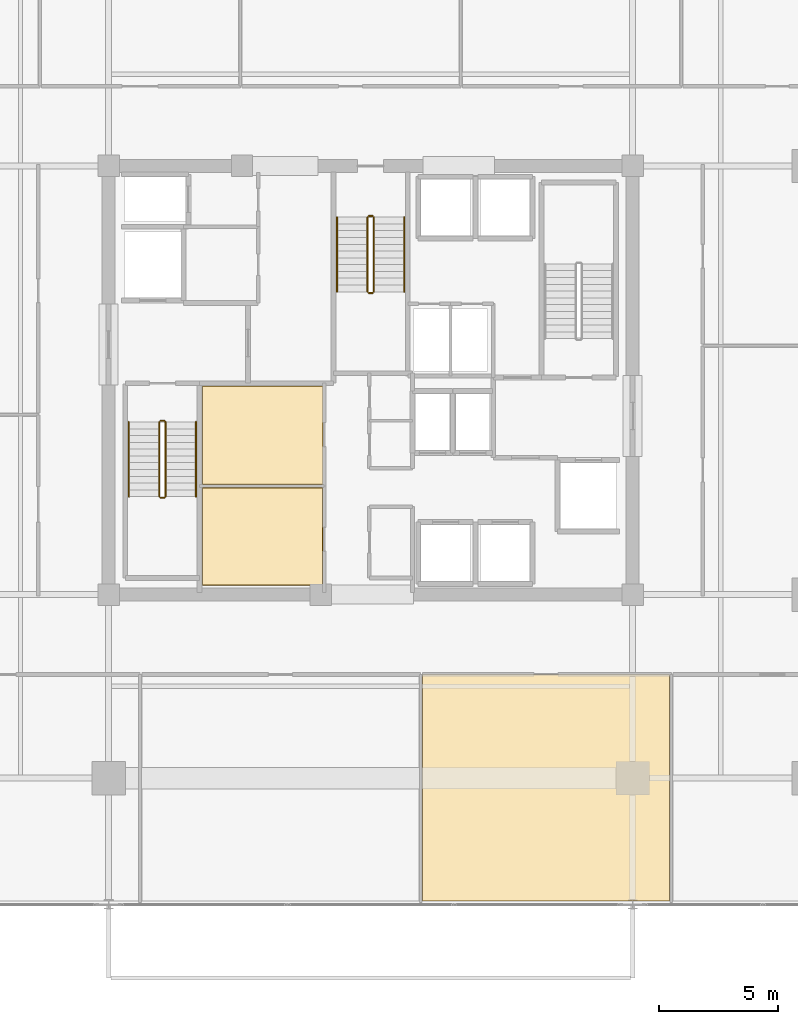
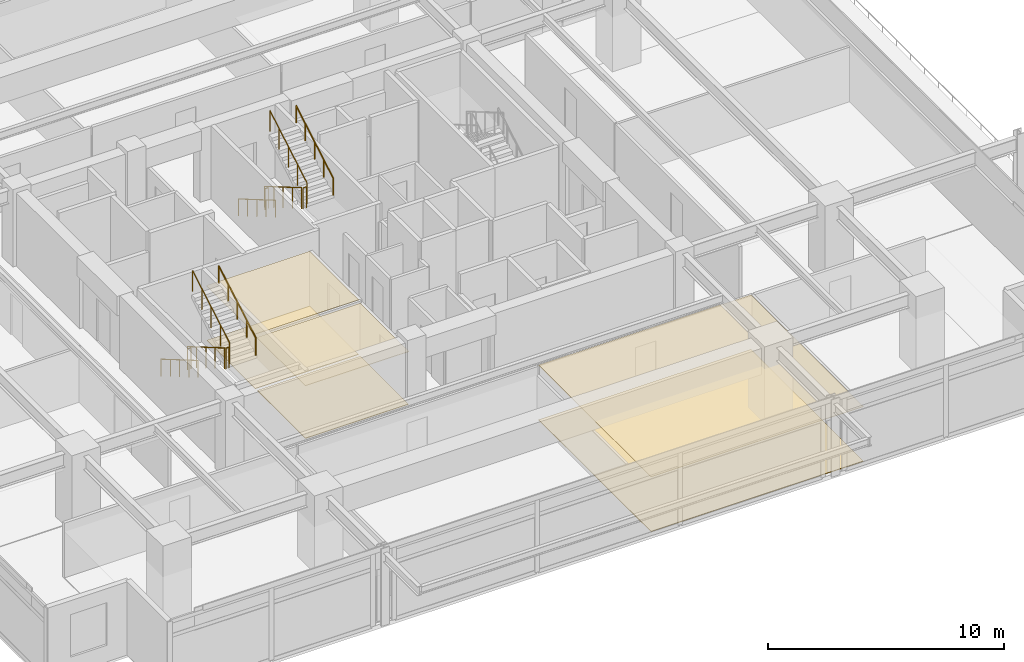
# One storey, part 19 of 21: 12 railings, 6 coverings.
"""IFC4 building model written with IfcOpenShell, lengths in metres."""

import ifcopenshell
import ifcopenshell.guid

model = None  # the IFC model being written
_history = None  # IfcOwnerHistory: only IFC2X3 demands one
_inside = {}  # id of a spatial element -> (the spatial element, [elements in it])
_under = {}  # id of a project, library or spatial element -> (it, [spatial elements below it])
_declared = {}  # id of a project -> (the project, [libraries it declares])
_typed = {}  # id of a type object -> (the type object, [elements of that type])
_made_of = {}  # id of a material, layer set ... -> (it, [elements and type objects made of it])


def new_model(schema):
    """Start an empty IFC model of exactly this schema.

    Asked for "IFC4X3", IfcOpenShell would pick the latest addendum, in which some entities
    have other attributes; the version numbers below select the first issue.
    IFC2X3 requires an IfcOwnerHistory on every rooted entity: one is made here for all.
    """
    global model, _history
    if schema == "IFC4X3":
        model = ifcopenshell.file(schema_version=(4, 3, 0, 0))
    else:
        model = ifcopenshell.file(schema=schema)
    _inside.clear()
    _under.clear()
    _declared.clear()
    _typed.clear()
    _made_of.clear()
    _history = None
    if model.schema == "IFC2X3":
        org = make("IfcOrganization", Name="unknown")
        user = make(
            "IfcPersonAndOrganization",
            ThePerson=make("IfcPerson", FamilyName="unknown"),
            TheOrganization=org,
        )
        app = make(
            "IfcApplication",
            ApplicationDeveloper=org,
            Version="unknown",
            ApplicationFullName="unknown",
            ApplicationIdentifier="unknown",
        )
        _history = make(
            "IfcOwnerHistory",
            OwningUser=user,
            OwningApplication=app,
            ChangeAction="ADDED",
            CreationDate=0,
        )
    return model


def make(cls, **values):
    """One entity of the class cls with the attributes given. An attribute that is None is left unset."""
    return model.create_entity(
        cls, **{name: value for name, value in values.items() if value is not None}
    )


def rooted(cls, **values):
    """An entity with a GlobalId (a new one), such as an element, a storey or a relation."""
    return make(cls, GlobalId=ifcopenshell.guid.new(), OwnerHistory=_history, **values)


def si_unit(unit_type, name, prefix=None):
    """IfcSIUnit, for example si_unit("LENGTHUNIT", "METRE", prefix="MILLI")."""
    return make("IfcSIUnit", UnitType=unit_type, Prefix=prefix, Name=name)


def assignment(units):
    """IfcUnitAssignment: the units of a project."""
    return None if units is None else make("IfcUnitAssignment", Units=units)


def point(xyz):
    """IfcCartesianPoint."""
    return None if xyz is None else make("IfcCartesianPoint", Coordinates=xyz)


def direction(xyz):
    """IfcDirection."""
    return None if xyz is None else make("IfcDirection", DirectionRatios=xyz)


def frame(location, z_axis=None, x_axis=None):
    """IfcAxis2Placement3D, a coordinate frame: its origin and axes. An axis left out is left unset."""
    return make(
        "IfcAxis2Placement3D",
        Location=point(location),
        Axis=direction(z_axis),
        RefDirection=direction(x_axis),
    )


def frame_2d(location, x_axis=None):
    """IfcAxis2Placement2D, a coordinate frame in the plane: its origin and x axis."""
    return make(
        "IfcAxis2Placement2D", Location=point(location), RefDirection=direction(x_axis)
    )


def origin():
    """The frame at (0, 0, 0) with its axes left unset."""
    return frame((0.0, 0.0, 0.0))


def origin_2d():
    """The frame at (0, 0) in the plane with its x axis left unset."""
    return frame_2d((0.0, 0.0))


def place(relative_to, where):
    """IfcLocalPlacement: puts the frame where relative to a parent placement (None: the world)."""
    return make(
        "IfcLocalPlacement", PlacementRelTo=relative_to, RelativePlacement=where
    )


def context(
    kind, dimensions, precision=None, world=None, true_north=None, identifier=None
):
    """IfcGeometricRepresentationContext, for example the 3D "Model" context."""
    return make(
        "IfcGeometricRepresentationContext",
        ContextIdentifier=identifier,
        ContextType=kind,
        CoordinateSpaceDimension=dimensions,
        Precision=precision,
        WorldCoordinateSystem=world,
        TrueNorth=true_north,
    )


def subcontext(parent, identifier, kind, view, scale=None):
    """IfcGeometricRepresentationSubContext, for example "Body" below "Model"."""
    return make(
        "IfcGeometricRepresentationSubContext",
        ContextIdentifier=identifier,
        ContextType=kind,
        ParentContext=parent,
        TargetScale=scale,
        TargetView=view,
    )


def project(units=None, contexts=None):
    """IfcProject with its units and contexts."""
    return rooted(
        "IfcProject",
        Name="project",
        RepresentationContexts=contexts,
        UnitsInContext=assignment(units),
    )


def spatial(cls, under=None, at=None, **own):
    """A site, building, storey or space (cls), placed at a placement, below another one or the project."""
    s = rooted(cls, ObjectPlacement=at, **own)
    if under is not None:
        _under.setdefault(under.id(), (under, []))[1].append(s)
    return s


def polyline(points):
    """IfcPolyline through the points."""
    return make("IfcPolyline", Points=[point(p) for p in points])


def profile(cls, at=None, kind="AREA", **sizes):
    """A parametric profile (cls). Its sizes go by their IFC names, for example OverallWidth=200.0."""
    return make(cls, ProfileType=kind, Position=at, **sizes)


def circle(**sizes):
    """IfcCircleProfileDef."""
    return profile("IfcCircleProfileDef", **sizes)


def outline(outer, holes=None, kind="AREA"):
    """IfcArbitraryClosedProfileDef: a profile drawn as a closed curve; with holes, ...WithVoids."""
    if holes is None:
        return make("IfcArbitraryClosedProfileDef", ProfileType=kind, OuterCurve=outer)
    return make(
        "IfcArbitraryProfileDefWithVoids",
        ProfileType=kind,
        OuterCurve=outer,
        InnerCurves=holes,
    )


def extrude(swept, where, along, depth):
    """IfcExtrudedAreaSolid: the profile swept, set in the frame where, extruded along a direction by depth."""
    return make(
        "IfcExtrudedAreaSolid",
        SweptArea=swept,
        Position=where,
        ExtrudedDirection=direction(along),
        Depth=depth,
    )


def shape(context_of_items, identifier, shape_type, items):
    """IfcShapeRepresentation: the items that make up one representation, for example the "Body"."""
    return make(
        "IfcShapeRepresentation",
        ContextOfItems=context_of_items,
        RepresentationIdentifier=identifier,
        RepresentationType=shape_type,
        Items=items,
    )


def material(Name=None, Category=None):
    """IfcMaterial."""
    return make("IfcMaterial", Name=Name, Category=Category)


def layer(
    of_material, thickness, ventilated=None, Name=None, Category=None, Priority=None
):
    """IfcMaterialLayer: one layer of a wall or slab, of a material (None: an air gap)."""
    return make(
        "IfcMaterialLayer",
        Material=of_material,
        LayerThickness=thickness,
        IsVentilated=ventilated,
        Name=Name,
        Category=Category,
        Priority=Priority,
    )


def layer_set(layers, Name=None):
    """IfcMaterialLayerSet."""
    return make("IfcMaterialLayerSet", MaterialLayers=layers, LayerSetName=Name)


def made_of(thing, what):
    """Note that an element or type object is made of a material, layer set ...; save() writes the relation."""
    if what is not None:
        _made_of.setdefault(what.id(), (what, []))[1].append(thing)
    return thing


def type_object(cls, material=None, **own):
    """A type object (cls), such as IfcWallType, which elements share."""
    return made_of(rooted(cls, **own), material)


def element(
    cls,
    number,
    at=None,
    inside=None,
    cuts=None,
    type_object=None,
    material=None,
    context=None,
    identifier="Body",
    shape_type=None,
    held_by="IfcProductDefinitionShape",
    body=None,
    shapes=None,
    **own,
):
    """One element of the class cls, such as IfcWall. Its Tag is "e" and its number.

    at: its placement. inside: the storey or other place that contains it. cuts: it is an
    opening in that element (IfcRelVoidsElement). A single representation is given by context,
    identifier, shape_type and body (its items); several are given by shapes. held_by: the class
    of the entity that holds the representations. save() writes the other relations.
    """
    e = rooted(cls, Tag="e%d" % number, ObjectPlacement=at, **own)
    if body is not None:
        shapes = [shape(context, identifier, shape_type, body)]
    if shapes is not None:
        e.Representation = make(held_by, Representations=shapes)
    if inside is not None:
        _inside.setdefault(inside.id(), (inside, []))[1].append(e)
    if cuts is not None:
        rooted(
            "IfcRelVoidsElement", RelatingBuildingElement=cuts, RelatedOpeningElement=e
        )
    if type_object is not None:
        _typed.setdefault(type_object.id(), (type_object, []))[1].append(e)
    return made_of(e, material)


def aggregate(whole, parts):
    """IfcRelAggregates: a whole, such as a stair, and the parts it consists of."""
    return rooted("IfcRelAggregates", RelatingObject=whole, RelatedObjects=parts)


def save(model, path):
    """Write the relations noted so far, then the file.

    IfcRelAggregates (storeys below a building ...), IfcRelContainedInSpatialStructure (elements
    in a storey), IfcRelDefinesByType, IfcRelAssociatesMaterial and IfcRelDeclares: one each for
    every whole, place, type object, material and project.
    """
    for whole, parts in _under.values():
        aggregate(whole, parts)
    for where, things in _inside.values():
        rooted(
            "IfcRelContainedInSpatialStructure",
            RelatedElements=things,
            RelatingStructure=where,
        )
    for kind, things in _typed.values():
        rooted("IfcRelDefinesByType", RelatedObjects=things, RelatingType=kind)
    for what, things in _made_of.values():
        rooted("IfcRelAssociatesMaterial", RelatedObjects=things, RelatingMaterial=what)
    for by, libraries in _declared.values():
        rooted("IfcRelDeclares", RelatingContext=by, RelatedDefinitions=libraries)
    model.write(path)


model = new_model("IFC4")

# Units and contexts
model_context = context("Model", 3, precision=1e-05, world=origin(), true_north=direction((0.0, 1.0)))
body_context = subcontext(model_context, "Body", "Model", "MODEL_VIEW")
ifc_project = project(units=[si_unit("LENGTHUNIT", "METRE"), si_unit("AREAUNIT", "SQUARE_METRE"), si_unit("VOLUMEUNIT", "CUBIC_METRE"), si_unit("PLANEANGLEUNIT", "RADIAN"), si_unit("MASSUNIT", "GRAM", prefix="KILO")], contexts=[model_context])

# Site, building, storey
site_placement = place(None, origin())
site = spatial("IfcSite", under=ifc_project, at=site_placement, CompositionType="ELEMENT")
building_placement = place(site_placement, origin())
building = spatial("IfcBuilding", under=site, at=building_placement, Name="Kovane Verandah Tower", CompositionType="ELEMENT")
storey_placement = place(building_placement, frame((0.0, 0.0, 217.199951171875)))
storey = spatial("IfcBuildingStorey", under=building, at=storey_placement, Name="L50", CompositionType="ELEMENT", Elevation=217.199951171875)

# Coverings
ifc_material_1 = material(Name="Perforated Acoustic Mineral-Fibre Ceiling Tile", Category="gypsum")
ifc_layer_1 = layer(ifc_material_1, 0.02490234375)
ifc_layer_set_1 = layer_set([ifc_layer_1], Name="Perforated Acoustic Mineral-Fibre Ceiling Tile")
covering_type_1 = type_object("IfcCoveringType", Name="CV-CEIL-25", PredefinedType="CEILING", material=ifc_layer_set_1)
covering_1_placement = place(storey_placement, frame((0.0, 0.0, 2.72998046875)))
element("IfcCovering", 1, at=covering_1_placement, inside=storey, type_object=covering_type_1, Name="L50 IT Server Room Acoustic Ceiling", PredefinedType="CEILING", context=body_context, shape_type="SweptSolid", body=[
    extrude(outline(polyline([(32.93505859375, 18.885009765625), (37.9951171875, 18.885009765625), (37.9951171875, 22.9951171875), (32.93505859375, 22.9951171875), (32.93505859375, 18.885009765625)])), origin(), (0.0, 0.0, 1.0), 0.025146484375),
])
covering_2_placement = place(storey_placement, frame((0.0, 0.0, 2.824951171875)))
element("IfcCovering", 2, at=covering_2_placement, inside=storey, type_object=covering_type_1, Name="L50 Telecom MDF Room Acoustic Ceiling", PredefinedType="CEILING", context=body_context, shape_type="SweptSolid", body=[
    extrude(outline(polyline([(32.93505859375, 23.125), (37.9951171875, 23.125), (37.9951171875, 27.264892578125), (32.93505859375, 27.264892578125), (32.93505859375, 23.125)])), origin(), (0.0, 0.0, 1.0), 0.025146484375),
])
covering_3_placement = place(storey_placement, frame((0.0, 0.0, 2.824951171875)))
element("IfcCovering", 3, at=covering_3_placement, inside=storey, type_object=covering_type_1, Name="L50 Open Plan Office S3 Acoustic Ceiling", PredefinedType="CEILING", context=body_context, shape_type="SweptSolid", body=[
    extrude(outline(polyline([(42.173583984375, 5.6357421875), (52.552490234375, 5.6357421875), (52.552490234375, 15.14990234375), (42.173583984375, 15.14990234375), (42.173583984375, 5.6357421875)])), origin(), (0.0, 0.0, 1.0), 0.025146484375),
])
ifc_material_2 = material(Name="Polished Terrazzo and Raised-Access Carpet Tile Finish", Category="concrete")
ifc_layer_2 = layer(ifc_material_2, 0.030029296875)
ifc_layer_set_2 = layer_set([ifc_layer_2], Name="Polished Terrazzo and Raised-Access Carpet Tile Finish")
covering_type_2 = type_object("IfcCoveringType", Name="CV-FLOR-30", PredefinedType="FLOORING", material=ifc_layer_set_2)
covering_4_placement = place(storey_placement, origin())
element("IfcCovering", 4, at=covering_4_placement, inside=storey, type_object=covering_type_2, Name="L50 IT Server Room Floor Finish", PredefinedType="FLOORING", context=body_context, shape_type="SweptSolid", body=[
    extrude(outline(polyline([(32.949951171875, 18.89990234375), (37.97998046875, 18.89990234375), (37.97998046875, 22.97998046875), (32.949951171875, 22.97998046875), (32.949951171875, 18.89990234375)])), origin(), (0.0, 0.0, 1.0), 0.030029296875),
])
covering_5_placement = place(storey_placement, origin())
element("IfcCovering", 5, at=covering_5_placement, inside=storey, type_object=covering_type_2, Name="L50 Telecom MDF Room Floor Finish", PredefinedType="FLOORING", context=body_context, shape_type="SweptSolid", body=[
    extrude(outline(polyline([(32.949951171875, 23.139892578125), (37.97998046875, 23.139892578125), (37.97998046875, 27.25), (32.949951171875, 27.25), (32.949951171875, 23.139892578125)])), origin(), (0.0, 0.0, 1.0), 0.030029296875),
])
covering_6_placement = place(storey_placement, origin())
element("IfcCovering", 6, at=covering_6_placement, inside=storey, type_object=covering_type_2, Name="L50 Open Plan Office S3 Floor Finish", PredefinedType="FLOORING", context=body_context, shape_type="SweptSolid", body=[
    extrude(outline(polyline([(42.173583984375, 5.6357421875), (52.552490234375, 5.6357421875), (52.552490234375, 15.14990234375), (42.173583984375, 15.14990234375), (42.173583984375, 5.6357421875)])), origin(), (0.0, 0.0, 1.0), 0.030029296875),
])

# Railings
ifc_material_3 = material(Name="Brushed Stainless Steel Handrail", Category="steel")
railing_type_1 = type_object("IfcRailingType", Name="RL-HAND-920", PredefinedType="HANDRAIL", material=ifc_material_3)
railing_1_placement = place(storey_placement, frame((29.85009765625, 25.75, 0.166748046875)))
element("IfcRailing", 7, at=railing_1_placement, inside=storey, type_object=railing_type_1, Name="L50 ST-01 stair handrail 1", PredefinedType="HANDRAIL", context=body_context, shape_type="SweptSolid", body=[
    extrude(circle(Radius=0.02392578125, at=origin_2d()), frame((0.0, 0.0, 0.8759765625), z_axis=(0.0, -0.863239559939, 0.504794475164), x_axis=(1.0, 0.0, 0.0)), (0.0, 0.0, 1.0), 3.631591796875),
    extrude(circle(Radius=0.02099609375, at=origin_2d()), origin(), (0.0, 0.0, 1.0), 0.851806640625),
    extrude(circle(Radius=0.02099609375, at=origin_2d()), frame((0.0, -0.78369140625, 0.458251953125)), (0.0, 0.0, 1.0), 0.851806640625),
    extrude(circle(Radius=0.02099609375, at=origin_2d()), frame((0.0, -1.5673828125, 0.91650390625)), (0.0, 0.0, 1.0), 0.851806640625),
    extrude(circle(Radius=0.02099609375, at=origin_2d()), frame((0.0, -2.351318359375, 1.375)), (0.0, 0.0, 1.0), 0.851806640625),
    extrude(circle(Radius=0.02099609375, at=origin_2d()), frame((0.0, -3.135009765625, 1.833251953125)), (0.0, 0.0, 1.0), 0.851806640625),
])
railing_2_placement = place(storey_placement, frame((32.669921875, 22.614990234375, 2.166748046875)))
element("IfcRailing", 8, at=railing_2_placement, inside=storey, type_object=railing_type_1, Name="L50 ST-01 stair handrail 2", PredefinedType="HANDRAIL", context=body_context, shape_type="SweptSolid", body=[
    extrude(circle(Radius=0.02392578125, at=origin_2d()), frame((0.0, 0.0, 0.8759765625), z_axis=(0.0, 0.863239559939, 0.504794475164), x_axis=(-1.0, 0.0, 0.0)), (0.0, 0.0, 1.0), 3.631591796875),
    extrude(circle(Radius=0.02099609375, at=origin_2d()), origin(), (0.0, 0.0, 1.0), 0.851806640625),
    extrude(circle(Radius=0.02099609375, at=origin_2d()), frame((0.0, 0.78369140625, 0.458251953125)), (0.0, 0.0, 1.0), 0.851806640625),
    extrude(circle(Radius=0.02099609375, at=origin_2d()), frame((0.0, 1.5673828125, 0.91650390625)), (0.0, 0.0, 1.0), 0.851806640625),
    extrude(circle(Radius=0.02099609375, at=origin_2d()), frame((0.0, 2.351318359375, 1.375)), (0.0, 0.0, 1.0), 0.851806640625),
    extrude(circle(Radius=0.02099609375, at=origin_2d()), frame((0.0, 3.135009765625, 1.833251953125)), (0.0, 0.0, 1.0), 0.851806640625),
])
railing_3_placement = place(storey_placement, frame((38.590087890625, 34.35009765625, 0.166748046875)))
element("IfcRailing", 9, at=railing_3_placement, inside=storey, type_object=railing_type_1, Name="L50 ST-03 stair handrail 1", PredefinedType="HANDRAIL", context=body_context, shape_type="SweptSolid", body=[
    extrude(circle(Radius=0.02392578125, at=origin_2d()), frame((0.0, 0.0, 0.8759765625), z_axis=(0.0, -0.863239559939, 0.504794475164), x_axis=(1.0, 0.0, 0.0)), (0.0, 0.0, 1.0), 3.631591796875),
    extrude(circle(Radius=0.02099609375, at=origin_2d()), origin(), (0.0, 0.0, 1.0), 0.851806640625),
    extrude(circle(Radius=0.02099609375, at=origin_2d()), frame((0.0, -0.78369140625, 0.458251953125)), (0.0, 0.0, 1.0), 0.851806640625),
    extrude(circle(Radius=0.02099609375, at=origin_2d()), frame((0.0, -1.5673828125, 0.91650390625)), (0.0, 0.0, 1.0), 0.851806640625),
    extrude(circle(Radius=0.02099609375, at=origin_2d()), frame((0.0, -2.351318359375, 1.375)), (0.0, 0.0, 1.0), 0.851806640625),
    extrude(circle(Radius=0.02099609375, at=origin_2d()), frame((0.0, -3.135009765625, 1.833251953125)), (0.0, 0.0, 1.0), 0.851806640625),
])
railing_4_placement = place(storey_placement, frame((41.409912109375, 31.215087890625, 2.166748046875)))
element("IfcRailing", 10, at=railing_4_placement, inside=storey, type_object=railing_type_1, Name="L50 ST-03 stair handrail 2", PredefinedType="HANDRAIL", context=body_context, shape_type="SweptSolid", body=[
    extrude(circle(Radius=0.02392578125, at=origin_2d()), frame((0.0, 0.0, 0.8759765625), z_axis=(0.0, 0.863239559939, 0.504794475164), x_axis=(-1.0, 0.0, 0.0)), (0.0, 0.0, 1.0), 3.631591796875),
    extrude(circle(Radius=0.02099609375, at=origin_2d()), origin(), (0.0, 0.0, 1.0), 0.851806640625),
    extrude(circle(Radius=0.02099609375, at=origin_2d()), frame((0.0, 0.78369140625, 0.458251953125)), (0.0, 0.0, 1.0), 0.851806640625),
    extrude(circle(Radius=0.02099609375, at=origin_2d()), frame((0.0, 1.5673828125, 0.91650390625)), (0.0, 0.0, 1.0), 0.851806640625),
    extrude(circle(Radius=0.02099609375, at=origin_2d()), frame((0.0, 2.351318359375, 1.375)), (0.0, 0.0, 1.0), 0.851806640625),
    extrude(circle(Radius=0.02099609375, at=origin_2d()), frame((0.0, 3.135009765625, 1.833251953125)), (0.0, 0.0, 1.0), 0.851806640625),
])
ifc_material_4 = material(Name="Painted Steel Stairwell Guardrail", Category="steel")
railing_type_2 = type_object("IfcRailingType", Name="RL-STGUARD-1120", PredefinedType="GUARDRAIL", material=ifc_material_4)
railing_5_placement = place(storey_placement, frame((31.1298828125, 25.75, 0.166748046875)))
element("IfcRailing", 11, at=railing_5_placement, inside=storey, type_object=railing_type_2, Name="L50 ST-01 stair guard 1", PredefinedType="GUARDRAIL", context=body_context, shape_type="SweptSolid", body=[
    extrude(circle(Radius=0.02392578125, at=origin_2d()), frame((0.0, 0.0, 1.076171875), z_axis=(0.0, -0.863239559939, 0.504794475164), x_axis=(1.0, 0.0, 0.0)), (0.0, 0.0, 1.0), 3.631591796875),
    extrude(circle(Radius=0.02099609375, at=origin_2d()), origin(), (0.0, 0.0, 1.0), 1.052001953125),
    extrude(circle(Radius=0.02099609375, at=origin_2d()), frame((0.0, -0.78369140625, 0.458251953125)), (0.0, 0.0, 1.0), 1.052001953125),
    extrude(circle(Radius=0.02099609375, at=origin_2d()), frame((0.0, -1.5673828125, 0.91650390625)), (0.0, 0.0, 1.0), 1.052001953125),
    extrude(circle(Radius=0.02099609375, at=origin_2d()), frame((0.0, -2.351318359375, 1.375)), (0.0, 0.0, 1.0), 1.052001953125),
    extrude(circle(Radius=0.02099609375, at=origin_2d()), frame((0.0, -3.135009765625, 1.833251953125)), (0.0, 0.0, 1.0), 1.052001953125),
])
railing_6_placement = place(storey_placement, frame((31.179931640625, 22.56494140625, 2.0)))
element("IfcRailing", 12, at=railing_6_placement, inside=storey, type_object=railing_type_2, Name="L50 ST-01 stair guard 2", PredefinedType="GUARDRAIL", context=body_context, shape_type="SweptSolid", body=[
    extrude(circle(Radius=0.02392578125, at=origin_2d()), frame((0.0, 0.0, 1.076171875), z_axis=(1.0, 0.0, 0.0), x_axis=(0.0, 1.0, 0.0)), (0.0, 0.0, 1.0), 0.16015625),
    extrude(circle(Radius=0.02099609375, at=origin_2d()), origin(), (0.0, 0.0, 1.0), 1.052001953125),
    extrude(circle(Radius=0.02099609375, at=origin_2d()), frame((0.16015625, 0.0, 0.0)), (0.0, 0.0, 1.0), 1.052001953125),
])
railing_7_placement = place(storey_placement, frame((31.389892578125, 22.614990234375, 2.166748046875)))
element("IfcRailing", 13, at=railing_7_placement, inside=storey, type_object=railing_type_2, Name="L50 ST-01 stair guard 3", PredefinedType="GUARDRAIL", context=body_context, shape_type="SweptSolid", body=[
    extrude(circle(Radius=0.02392578125, at=origin_2d()), frame((0.0, 0.0, 1.076171875), z_axis=(0.0, 0.863239559939, 0.504794475164), x_axis=(-1.0, 0.0, 0.0)), (0.0, 0.0, 1.0), 3.631591796875),
    extrude(circle(Radius=0.02099609375, at=origin_2d()), origin(), (0.0, 0.0, 1.0), 1.052001953125),
    extrude(circle(Radius=0.02099609375, at=origin_2d()), frame((0.0, 0.78369140625, 0.458251953125)), (0.0, 0.0, 1.0), 1.052001953125),
    extrude(circle(Radius=0.02099609375, at=origin_2d()), frame((0.0, 1.5673828125, 0.91650390625)), (0.0, 0.0, 1.0), 1.052001953125),
    extrude(circle(Radius=0.02099609375, at=origin_2d()), frame((0.0, 2.351318359375, 1.375)), (0.0, 0.0, 1.0), 1.052001953125),
    extrude(circle(Radius=0.02099609375, at=origin_2d()), frame((0.0, 3.135009765625, 1.833251953125)), (0.0, 0.0, 1.0), 1.052001953125),
])
railing_8_placement = place(storey_placement, frame((31.179931640625, 25.800048828125, 0.0)))
element("IfcRailing", 14, at=railing_8_placement, inside=storey, type_object=railing_type_2, Name="L50 ST-01 stair guard 4", PredefinedType="GUARDRAIL", context=body_context, shape_type="SweptSolid", body=[
    extrude(circle(Radius=0.02392578125, at=origin_2d()), frame((0.0, 0.0, 1.076171875), z_axis=(1.0, 0.0, 0.0), x_axis=(0.0, 1.0, 0.0)), (0.0, 0.0, 1.0), 0.16015625),
    extrude(circle(Radius=0.02099609375, at=origin_2d()), origin(), (0.0, 0.0, 1.0), 1.052001953125),
    extrude(circle(Radius=0.02099609375, at=origin_2d()), frame((0.16015625, 0.0, 0.0)), (0.0, 0.0, 1.0), 1.052001953125),
])
railing_9_placement = place(storey_placement, frame((39.8701171875, 34.35009765625, 0.166748046875)))
element("IfcRailing", 15, at=railing_9_placement, inside=storey, type_object=railing_type_2, Name="L50 ST-03 stair guard 1", PredefinedType="GUARDRAIL", context=body_context, shape_type="SweptSolid", body=[
    extrude(circle(Radius=0.02392578125, at=origin_2d()), frame((0.0, 0.0, 1.076171875), z_axis=(0.0, -0.863239559939, 0.504794475164), x_axis=(1.0, 0.0, 0.0)), (0.0, 0.0, 1.0), 3.631591796875),
    extrude(circle(Radius=0.02099609375, at=origin_2d()), origin(), (0.0, 0.0, 1.0), 1.052001953125),
    extrude(circle(Radius=0.02099609375, at=origin_2d()), frame((0.0, -0.78369140625, 0.458251953125)), (0.0, 0.0, 1.0), 1.052001953125),
    extrude(circle(Radius=0.02099609375, at=origin_2d()), frame((0.0, -1.5673828125, 0.91650390625)), (0.0, 0.0, 1.0), 1.052001953125),
    extrude(circle(Radius=0.02099609375, at=origin_2d()), frame((0.0, -2.351318359375, 1.375)), (0.0, 0.0, 1.0), 1.052001953125),
    extrude(circle(Radius=0.02099609375, at=origin_2d()), frame((0.0, -3.135009765625, 1.833251953125)), (0.0, 0.0, 1.0), 1.052001953125),
])
railing_10_placement = place(storey_placement, frame((39.919921875, 31.1650390625, 2.0)))
element("IfcRailing", 16, at=railing_10_placement, inside=storey, type_object=railing_type_2, Name="L50 ST-03 stair guard 2", PredefinedType="GUARDRAIL", context=body_context, shape_type="SweptSolid", body=[
    extrude(circle(Radius=0.02392578125, at=origin_2d()), frame((0.0, 0.0, 1.076171875), z_axis=(1.0, 0.0, 0.0), x_axis=(0.0, 1.0, 0.0)), (0.0, 0.0, 1.0), 0.16015625),
    extrude(circle(Radius=0.02099609375, at=origin_2d()), origin(), (0.0, 0.0, 1.0), 1.052001953125),
    extrude(circle(Radius=0.02099609375, at=origin_2d()), frame((0.16015625, 0.0, 0.0)), (0.0, 0.0, 1.0), 1.052001953125),
])
railing_11_placement = place(storey_placement, frame((40.1298828125, 31.215087890625, 2.166748046875)))
element("IfcRailing", 17, at=railing_11_placement, inside=storey, type_object=railing_type_2, Name="L50 ST-03 stair guard 3", PredefinedType="GUARDRAIL", context=body_context, shape_type="SweptSolid", body=[
    extrude(circle(Radius=0.02392578125, at=origin_2d()), frame((0.0, 0.0, 1.076171875), z_axis=(0.0, 0.863239559939, 0.504794475164), x_axis=(-1.0, 0.0, 0.0)), (0.0, 0.0, 1.0), 3.631591796875),
    extrude(circle(Radius=0.02099609375, at=origin_2d()), origin(), (0.0, 0.0, 1.0), 1.052001953125),
    extrude(circle(Radius=0.02099609375, at=origin_2d()), frame((0.0, 0.78369140625, 0.458251953125)), (0.0, 0.0, 1.0), 1.052001953125),
    extrude(circle(Radius=0.02099609375, at=origin_2d()), frame((0.0, 1.5673828125, 0.91650390625)), (0.0, 0.0, 1.0), 1.052001953125),
    extrude(circle(Radius=0.02099609375, at=origin_2d()), frame((0.0, 2.351318359375, 1.375)), (0.0, 0.0, 1.0), 1.052001953125),
    extrude(circle(Radius=0.02099609375, at=origin_2d()), frame((0.0, 3.135009765625, 1.833251953125)), (0.0, 0.0, 1.0), 1.052001953125),
])
railing_12_placement = place(storey_placement, frame((39.919921875, 34.39990234375, 0.0)))
element("IfcRailing", 18, at=railing_12_placement, inside=storey, type_object=railing_type_2, Name="L50 ST-03 stair guard 4", PredefinedType="GUARDRAIL", context=body_context, shape_type="SweptSolid", body=[
    extrude(circle(Radius=0.02392578125, at=origin_2d()), frame((0.0, 0.0, 1.076171875), z_axis=(1.0, 0.0, 0.0), x_axis=(0.0, 1.0, 0.0)), (0.0, 0.0, 1.0), 0.16015625),
    extrude(circle(Radius=0.02099609375, at=origin_2d()), origin(), (0.0, 0.0, 1.0), 1.052001953125),
    extrude(circle(Radius=0.02099609375, at=origin_2d()), frame((0.16015625, 0.0, 0.0)), (0.0, 0.0, 1.0), 1.052001953125),
])

save(model, "model.ifc")
